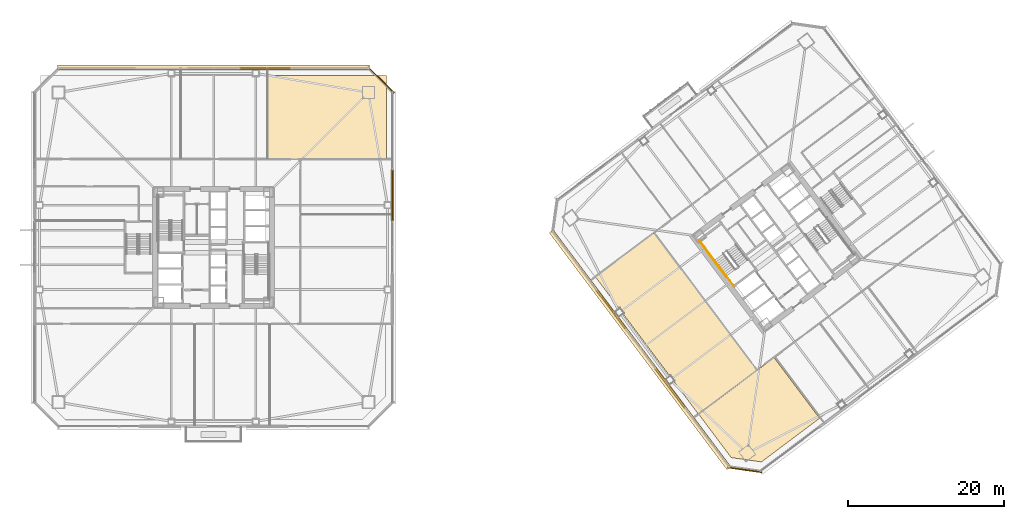
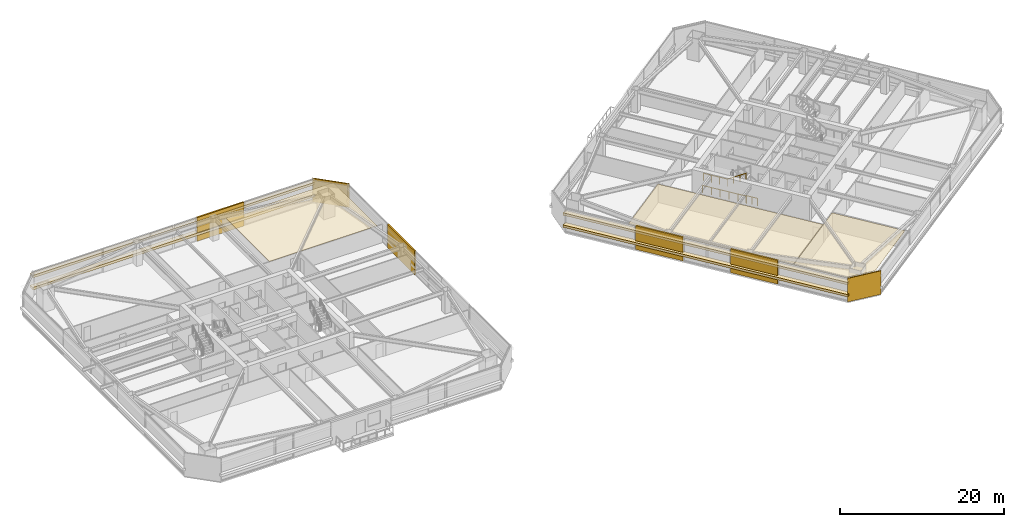
# One storey, part 43 of 46: 13 coverings, 4 railings.
"""IFC4 building model written with IfcOpenShell, lengths in metres."""

from ifc_helpers import new_model, si_unit, direction, frame, origin, origin_2d, place, context, subcontext, project, spatial, polyline, rectangle, outline, extrude, material, layer, layer_set, type_object, element, save


model = new_model("IFC4")

# Units and contexts
model_context = context("Model", 3, precision=1e-05, world=origin(), true_north=direction((0.0, 1.0)))
body_context = subcontext(model_context, "Body", "Model", "MODEL_VIEW")
ifc_project = project(units=[si_unit("LENGTHUNIT", "METRE"), si_unit("AREAUNIT", "SQUARE_METRE"), si_unit("VOLUMEUNIT", "CUBIC_METRE"), si_unit("PLANEANGLEUNIT", "RADIAN"), si_unit("MASSUNIT", "GRAM", prefix="KILO")], contexts=[model_context])

# Site, building, storey
site_placement = place(None, origin())
site = spatial("IfcSite", under=ifc_project, at=site_placement, CompositionType="ELEMENT")
building_placement = place(site_placement, origin())
building = spatial("IfcBuilding", under=site, at=building_placement, Name="Tashvorn Skyway Center", CompositionType="ELEMENT")
storey_placement = place(building_placement, frame((0.0, 0.0, 38.800048828125)))
storey = spatial("IfcBuildingStorey", under=building, at=storey_placement, Name="L09", CompositionType="ELEMENT", Elevation=38.800048828125)

# Coverings
ifc_material_1 = material(Name="Precast concrete C40/50", Category="concrete")
ifc_layer_1 = layer(ifc_material_1, 0.199951171875)
ifc_layer_set_1 = layer_set([ifc_layer_1], Name="Precast concrete C40/50")
covering_type_1 = type_object("IfcCoveringType", Name="COV-BRACE-CLAD", PredefinedType="CLADDING", material=ifc_layer_set_1)
for number, where, z_axis, x_axis, name in (
    (1, (48.626708984375, 54.8798828125, 0.0), (0.0, 0.0, 1.0), (1.0, 0.0, 0.0), "Tower 1 L09 North Unitised Curtain Wall Mega-Brace Cladding Band 2"),
    (2, (64.8798828125, 38.626708984375, 0.0), (0.0, 0.0, 1.0), (0.0, -1.0, 0.0), "Tower 1 L09 East Unitised Curtain Wall Mega-Brace Cladding Band 1"),
):
    element("IfcCovering", number, at=place(storey_placement, frame(where, z_axis=z_axis, x_axis=x_axis)), inside=storey, type_object=covering_type_1, Name=name, PredefinedType="CLADDING", context=body_context, shape_type="SweptSolid", body=[
        extrude(rectangle(XDim=6.626708984375, YDim=0.199951171875, at=origin_2d()), origin(), (0.0, 0.0, 1.0), 3.550048828125),
    ])
for number, where, z_axis, x_axis, name in (
    (3, (100.431884765625, 13.957275390625, 0.0), (0.0, 0.0, 1.0), (-0.600000004945, 0.799999996291, 0.0), "Tower 2 L09 West Unitised Curtain Wall Mega-Brace Cladding Band 1"),
    (4, (92.8798828125, 24.026611328125, 0.0), (0.0, 0.0, 1.0), (-0.600000004945, 0.799999996291, 0.0), "Tower 2 L09 West Unitised Curtain Wall Mega-Brace Cladding Band 2"),
):
    element("IfcCovering", number, at=place(storey_placement, frame(where, z_axis=z_axis, x_axis=x_axis)), inside=storey, type_object=covering_type_1, Name=name, PredefinedType="CLADDING", context=body_context, shape_type="SweptSolid", body=[
        extrude(rectangle(XDim=6.29345703125, YDim=0.199951171875, at=origin_2d()), origin(), (0.0, 0.0, 1.0), 3.550048828125),
    ])
ifc_material_2 = material(Name="Mineral-fibre acoustic ceiling tile on suspended grid")
ifc_layer_2 = layer(ifc_material_2, 0.02001953125)
ifc_layer_set_2 = layer_set([ifc_layer_2], Name="Mineral-fibre acoustic ceiling tile on suspended grid")
covering_type_2 = type_object("IfcCoveringType", Name="COV-CEIL-20", PredefinedType="CEILING", material=ifc_layer_set_2)
covering_1_placement = place(storey_placement, frame((0.0, 0.0, 2.682861328125)))
element("IfcCovering", 5, at=covering_1_placement, inside=storey, type_object=covering_type_2, Name="Tower 1 L09 Security Control Room Acoustic Ceiling", PredefinedType="CEILING", context=body_context, shape_type="SweptSolid", body=[
    extrude(outline(polyline([(48.89990234375, 43.300048828125), (64.10009765625, 43.300048828125), (64.10009765625, 54.0), (48.89990234375, 54.0), (48.89990234375, 43.300048828125)])), origin(), (0.0, 0.0, 1.0), 0.02001953125),
])
covering_2_placement = place(storey_placement, frame((0.0, 0.0, 2.682861328125)))
element("IfcCovering", 6, at=covering_2_placement, inside=storey, type_object=covering_type_2, Name="Tower 2 L09 Conference Room Acoustic Ceiling", PredefinedType="CEILING", context=body_context, shape_type="SweptSolid", body=[
    extrude(outline(polyline([(104.030029296875, 10.659912109375), (113.677978515625, 17.89599609375), (119.491943359375, 10.14404296875), (112.052001953125, 4.56396484375), (108.18798828125, 5.115966796875), (104.030029296875, 10.659912109375)])), origin(), (0.0, 0.0, 1.0), 0.02001953125),
])
covering_3_placement = place(storey_placement, frame((0.0, 0.0, 2.682861328125)))
element("IfcCovering", 7, at=covering_3_placement, inside=storey, type_object=covering_type_2, Name="Tower 2 L09 Catering Pantry Acoustic Ceiling", PredefinedType="CEILING", context=body_context, shape_type="SweptSolid", body=[
    extrude(outline(polyline([(103.989990234375, 10.679931640625), (111.486083984375, 16.302001953125), (98.31591796875, 33.862060546875), (90.820068359375, 28.239990234375), (103.989990234375, 10.679931640625)])), origin(), (0.0, 0.0, 1.0), 0.02001953125),
])
ifc_material_3 = material(Name="Perforated ceramic-coated bronze aluminium solar screen", Category="aluminium")
ifc_layer_3 = layer(ifc_material_3, 0.85009765625)
ifc_layer_set_3 = layer_set([ifc_layer_3], Name="Perforated ceramic-coated bronze aluminium solar screen")
covering_type_3 = type_object("IfcCoveringType", Name="COV-SOLAR-BAND", PredefinedType="CLADDING", material=ifc_layer_set_3)
for number, where, z_axis, x_axis, name in (
    (8, (42.0, 55.02001953125, 0.919921875), (0.0, 0.0, 1.0), (1.0, 0.0, 0.0), "L09 Perforated Ceramic-Metal Solar Screen Louvre Band North 1"),
    (9, (42.0, 55.02001953125, 2.7197265625), (0.0, 0.0, 1.0), (1.0, 0.0, 0.0), "L09 Perforated Ceramic-Metal Solar Screen Louvre Band North 2"),
):
    element("IfcCovering", number, at=place(storey_placement, frame(where, z_axis=z_axis, x_axis=x_axis)), inside=storey, type_object=covering_type_3, Name=name, PredefinedType="CLADDING", context=body_context, shape_type="SweptSolid", body=[
        extrude(rectangle(XDim=39.8798828125, YDim=0.639892578125, at=origin_2d()), origin(), (0.0, 0.0, 1.0), 0.360107421875),
    ])
for number, where, z_axis, x_axis, name in (
    (10, (96.5439453125, 18.907958984375, 0.919921875), (0.0, 0.0, 1.0), (-0.600000004945, 0.799999996291, 0.0), "L09 Perforated Ceramic-Metal Solar Screen Louvre Band West 1"),
    (11, (96.5439453125, 18.907958984375, 2.7197265625), (0.0, 0.0, 1.0), (-0.600000004945, 0.799999996291, 0.0), "L09 Perforated Ceramic-Metal Solar Screen Louvre Band West 2"),
):
    element("IfcCovering", number, at=place(storey_placement, frame(where, z_axis=z_axis, x_axis=x_axis)), inside=storey, type_object=covering_type_3, Name=name, PredefinedType="CLADDING", context=body_context, shape_type="SweptSolid", body=[
        extrude(rectangle(XDim=37.8798828125, YDim=0.639892578125, at=origin_2d()), origin(), (0.0, 0.0, 1.0), 0.360107421875),
    ])
ifc_layer_4 = layer(ifc_material_1, 0.35009765625)
ifc_layer_set_4 = layer_set([ifc_layer_4], Name="Precast concrete C40/50")
covering_type_4 = type_object("IfcCoveringType", Name="COV-STONE-TRIM", PredefinedType="CLADDING", material=ifc_layer_set_4)
covering_4_placement = place(storey_placement, frame((63.419921875, 53.419921875, 0.02001953125), z_axis=(0.0, 0.0, 1.0), x_axis=(0.707106781187, -0.707106781187, 0.0)))
element("IfcCovering", 12, at=covering_4_placement, inside=storey, type_object=covering_type_4, Name="Tower 1 L09 NE Mojave Limestone Corner Quoin", PredefinedType="CLADDING", context=body_context, shape_type="SweptSolid", body=[
    extrude(rectangle(XDim=4.685546875, YDim=0.139892578125, at=origin_2d()), origin(), (0.0, 0.0, 1.0), 3.510009765625),
])
covering_5_placement = place(storey_placement, frame((109.93603515625, 3.552001953125, 0.02001953125), z_axis=(0.0, 0.0, 1.0), x_axis=(-0.989949494535, 0.141421350118, 0.0)))
element("IfcCovering", 13, at=covering_5_placement, inside=storey, type_object=covering_type_4, Name="Tower 2 L09 SW Mojave Limestone Corner Quoin", PredefinedType="CLADDING", context=body_context, shape_type="SweptSolid", body=[
    extrude(rectangle(XDim=4.402587890625, YDim=0.139892578125, at=origin_2d()), origin(), (0.0, 0.0, 1.0), 3.510009765625),
])

# Railings
ifc_material_4 = material(Name="Brushed stainless steel 316", Category="steel")
railing_type_1 = type_object("IfcRailingType", Name="RAIL-HAND-920", PredefinedType="HANDRAIL", material=ifc_material_4)
railing_1_placement = place(storey_placement, frame((106.072021484375, 30.35400390625, 1.952392578125)))
element("IfcRailing", 14, at=railing_1_placement, inside=storey, type_object=railing_type_1, Name="L09 ST-T2-1 stair handrail 2", PredefinedType="HANDRAIL", context=body_context, shape_type="SweptSolid", body=[
    extrude(rectangle(XDim=0.048095703125, YDim=0.048095703125, at=origin_2d()), frame((0.0, 0.0, 0.8759765625), z_axis=(0.506718600913, -0.675679348675, 0.535437836974), x_axis=(0.800023250257, 0.599968998406, 0.0)), (0.0, 0.0, 1.0), 2.98388671875),
    extrude(rectangle(XDim=0.0419921875, YDim=0.0419921875, at=origin_2d()), origin(), (0.0, 0.0, 1.0), 0.851806640625),
    extrude(rectangle(XDim=0.0419921875, YDim=0.0419921875, at=origin_2d()), frame((0.50390625, -0.672119140625, 0.532470703125)), (0.0, 0.0, 1.0), 0.851806640625),
    extrude(rectangle(XDim=0.0419921875, YDim=0.0419921875, at=origin_2d()), frame((1.008056640625, -1.343994140625, 1.065185546875)), (0.0, 0.0, 1.0), 0.851806640625),
    extrude(rectangle(XDim=0.0419921875, YDim=0.0419921875, at=origin_2d()), frame((1.511962890625, -2.01611328125, 1.59765625)), (0.0, 0.0, 1.0), 0.851806640625),
])
ifc_material_5 = material(Name="Painted galvanized steel S355", Category="steel")
railing_type_2 = type_object("IfcRailingType", Name="RAIL-STGUARD-1100", PredefinedType="GUARDRAIL", material=ifc_material_5)
railing_2_placement = place(storey_placement, frame((106.072021484375, 30.35400390625, 1.77490234375)))
element("IfcRailing", 15, at=railing_2_placement, inside=storey, type_object=railing_type_2, Name="L09 ST-T2-1 stair guard 3", PredefinedType="GUARDRAIL", context=body_context, shape_type="SweptSolid", body=[
    extrude(rectangle(XDim=0.048095703125, YDim=0.048095703125, at=origin_2d()), frame((0.0, 0.0, 1.076171875), z_axis=(-0.599987638607, 0.800009270896, 0.0), x_axis=(-0.800009270896, -0.599987638607, 0.0)), (0.0, 0.0, 1.0), 3.16015625),
    extrude(rectangle(XDim=0.0419921875, YDim=0.0419921875, at=origin_2d()), origin(), (0.0, 0.0, 1.0), 1.052001953125),
    extrude(rectangle(XDim=0.0419921875, YDim=0.0419921875, at=origin_2d()), frame((-0.632080078125, 0.8427734375, 0.0)), (0.0, 0.0, 1.0), 1.052001953125),
    extrude(rectangle(XDim=0.0419921875, YDim=0.0419921875, at=origin_2d()), frame((-1.263916015625, 1.685302734375, 0.0)), (0.0, 0.0, 1.0), 1.052001953125),
    extrude(rectangle(XDim=0.0419921875, YDim=0.0419921875, at=origin_2d()), frame((-1.89599609375, 2.528076171875, 0.0)), (0.0, 0.0, 1.0), 1.052001953125),
])
railing_3_placement = place(storey_placement, frame((108.49609375, 27.1220703125, 0.0)))
element("IfcRailing", 16, at=railing_3_placement, inside=storey, type_object=railing_type_2, Name="L09 ST-T2-1 stair guard 6", PredefinedType="GUARDRAIL", context=body_context, shape_type="SweptSolid", body=[
    extrude(rectangle(XDim=0.048095703125, YDim=0.048095703125, at=origin_2d()), frame((0.0, 0.0, 1.076171875), z_axis=(-0.600102796382, 0.799922892393, 0.0), x_axis=(-0.799922892393, -0.600102796382, 0.0)), (0.0, 0.0, 1.0), 1.52001953125),
    extrude(rectangle(XDim=0.0419921875, YDim=0.0419921875, at=origin_2d()), origin(), (0.0, 0.0, 1.0), 1.052001953125),
    extrude(rectangle(XDim=0.0419921875, YDim=0.0419921875, at=origin_2d()), frame((-0.4560546875, 0.60791015625, 0.0)), (0.0, 0.0, 1.0), 1.052001953125),
    extrude(rectangle(XDim=0.0419921875, YDim=0.0419921875, at=origin_2d()), frame((-0.912109375, 1.2158203125, 0.0)), (0.0, 0.0, 1.0), 1.052001953125),
])
railing_4_placement = place(storey_placement, frame((107.56396484375, 28.197998046875, 0.0)))
element("IfcRailing", 17, at=railing_4_placement, inside=storey, type_object=railing_type_2, Name="L09 ST-T2-1 stair guard 7", PredefinedType="GUARDRAIL", context=body_context, shape_type="SweptSolid", body=[
    extrude(rectangle(XDim=0.048095703125, YDim=0.048095703125, at=origin_2d()), frame((0.0, 0.0, 1.076171875), z_axis=(-0.6, 0.8, 0.0), x_axis=(-0.8, -0.6, 0.0)), (0.0, 0.0, 1.0), 5.880126953125),
    extrude(rectangle(XDim=0.0419921875, YDim=0.0419921875, at=origin_2d()), origin(), (0.0, 0.0, 1.0), 1.052001953125),
    extrude(rectangle(XDim=0.0419921875, YDim=0.0419921875, at=origin_2d()), frame((-0.70556640625, 0.94091796875, 0.0)), (0.0, 0.0, 1.0), 1.052001953125),
    extrude(rectangle(XDim=0.0419921875, YDim=0.0419921875, at=origin_2d()), frame((-1.4111328125, 1.881591796875, 0.0)), (0.0, 0.0, 1.0), 1.052001953125),
    extrude(rectangle(XDim=0.0419921875, YDim=0.0419921875, at=origin_2d()), frame((-2.116943359375, 2.822509765625, 0.0)), (0.0, 0.0, 1.0), 1.052001953125),
    extrude(rectangle(XDim=0.0419921875, YDim=0.0419921875, at=origin_2d()), frame((-2.822509765625, 3.76318359375, 0.0)), (0.0, 0.0, 1.0), 1.052001953125),
    extrude(rectangle(XDim=0.0419921875, YDim=0.0419921875, at=origin_2d()), frame((-3.528076171875, 4.7041015625, 0.0)), (0.0, 0.0, 1.0), 1.052001953125),
])

save(model, "model.ifc")
